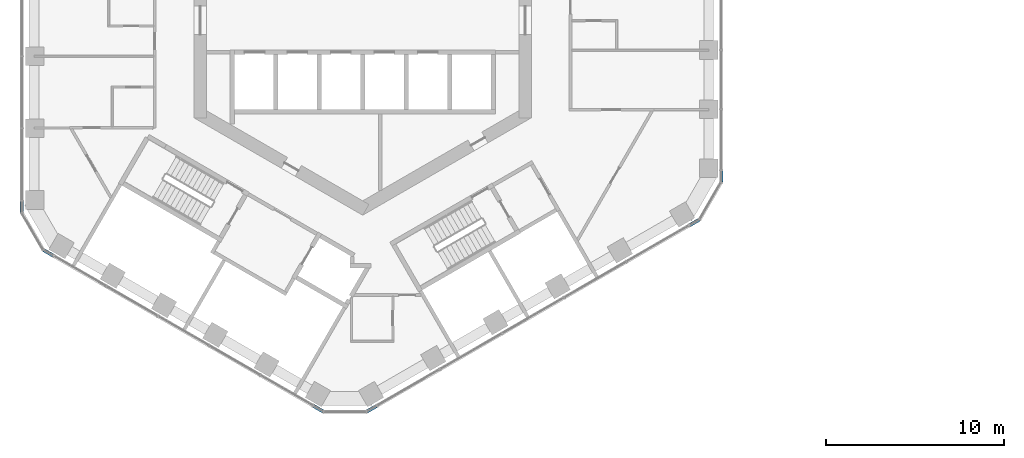
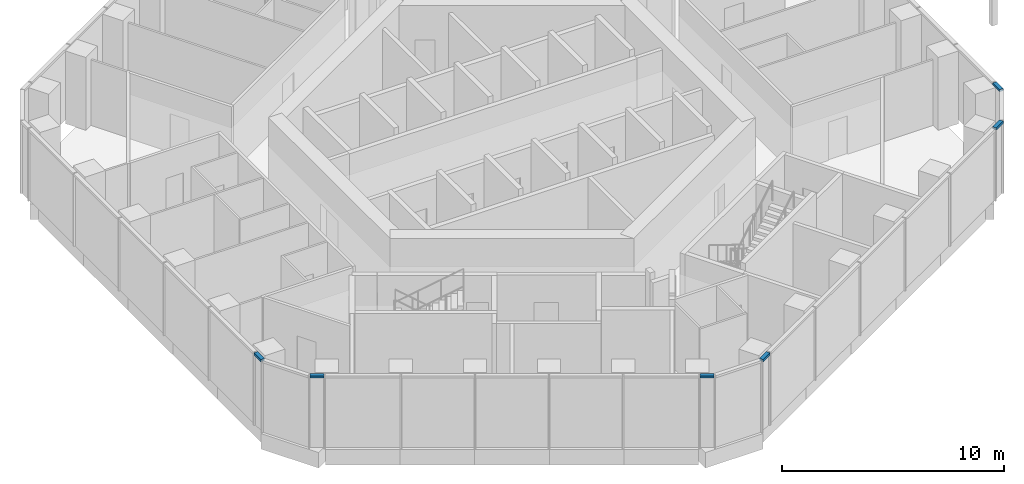
# One storey, part 10 of 25: 6 members, 3 elements without a shape of their own.
"""IFC4 building model written with IfcOpenShell, lengths in metres."""

from ifc_helpers import new_model, si_unit, direction, frame, origin, origin_2d, place, context, subcontext, project, spatial, rectangle, extrude, material, layer, layer_set, material_profile, profile_set, type_object, element, aggregate, save


model = new_model("IFC4")

# Units and contexts
model_context = context("Model", 3, precision=1e-05, world=origin(), true_north=direction((0.0, 1.0)))
body_context = subcontext(model_context, "Body", "Model", "MODEL_VIEW")
ifc_project = project(units=[si_unit("LENGTHUNIT", "METRE"), si_unit("AREAUNIT", "SQUARE_METRE"), si_unit("VOLUMEUNIT", "CUBIC_METRE"), si_unit("PLANEANGLEUNIT", "RADIAN"), si_unit("MASSUNIT", "GRAM", prefix="KILO")], contexts=[model_context])

# Site, building, storey
site_placement = place(None, origin())
site = spatial("IfcSite", under=ifc_project, at=site_placement, CompositionType="ELEMENT")
building_placement = place(site_placement, origin())
building = spatial("IfcBuilding", under=site, at=building_placement, Name="Ayvan Gate Tower", CompositionType="ELEMENT")
storey_placement = place(building_placement, frame((0.0, 0.0, 139.89990234375)))
storey = spatial("IfcBuildingStorey", under=building, at=storey_placement, Name="L37", CompositionType="ELEMENT", Elevation=139.89990234375)

# Curtain wall, members
ifc_material = material(Name="Bronze anodised aluminium", Category="aluminium")
ifc_layer = layer(ifc_material, 0.199951171875)
ifc_layer_set = layer_set([ifc_layer], Name="Bronze anodised aluminium")
curtain_wall_type = type_object("IfcCurtainWallType", Name="Stick curtain wall CW-6", PredefinedType="NOTDEFINED", material=ifc_layer_set)
curtain_wall_1_placement = place(storey_placement, origin())
curtain_wall_1 = element("IfcCurtainWall", 1, at=curtain_wall_1_placement, inside=storey, type_object=curtain_wall_type, Name="Stick curtain wall CW-6 L37", PredefinedType="NOTDEFINED")
ifc_material_profile = material_profile(ifc_material, rectangle(XDim=0.199951171875, YDim=0.1201171875, at=origin_2d()), Name="Stick curtain wall CW-6 transom 200 x 120")
ifc_profile_set = profile_set([ifc_material_profile], Name="Bronze anodised aluminium")
member_type = type_object("IfcMemberType", Name="Stick curtain wall CW-6 transom 200 x 120", PredefinedType="USERDEFINED", material=ifc_profile_set)
member_1_placement = place(storey_placement, frame((-19.194091796875, -10.1826171875, 3.940185546875), z_axis=(0.0, -1.0, 0.0), x_axis=(1.0, 0.0, 0.0)))
member_1 = element("IfcMember", 2, at=member_1_placement, type_object=member_type, Name="CW-6 transom 1", ObjectType="TRANSOM", PredefinedType="USERDEFINED", context=body_context, shape_type="SweptSolid", body=[
    extrude(rectangle(XDim=0.199951171875, YDim=0.1201171875, at=origin_2d()), origin(), (0.0, 0.0, 1.0), 0.625),
])
member_2_placement = place(storey_placement, frame((-17.965087890625, -12.93603515625, 3.940185546875), z_axis=(0.866022959057, -0.500004234368, 0.0), x_axis=(0.500004234368, 0.866022959057, 0.0)))
member_2 = element("IfcMember", 3, at=member_2_placement, type_object=member_type, Name="CW-6 transom 3", ObjectType="TRANSOM", PredefinedType="USERDEFINED", context=body_context, shape_type="SweptSolid", body=[
    extrude(rectangle(XDim=0.199951171875, YDim=0.1201171875, at=origin_2d()), origin(), (0.0, 0.0, 1.0), 0.625),
])
aggregate(curtain_wall_1, [member_1, member_2])

curtain_wall_2_placement = place(storey_placement, origin())
curtain_wall_2 = element("IfcCurtainWall", 4, at=curtain_wall_2_placement, inside=storey, type_object=curtain_wall_type, Name="Stick curtain wall CW-6 L37", PredefinedType="NOTDEFINED")
member_3_placement = place(storey_placement, frame((-2.76171875, -21.7138671875, 3.940185546875), z_axis=(0.866022959057, -0.500004234368, 0.0), x_axis=(0.500004234368, 0.866022959057, 0.0)))
member_3 = element("IfcMember", 5, at=member_3_placement, type_object=member_type, Name="CW-6 transom 1", ObjectType="TRANSOM", PredefinedType="USERDEFINED", context=body_context, shape_type="SweptSolid", body=[
    extrude(rectangle(XDim=0.199951171875, YDim=0.1201171875, at=origin_2d()), origin(), (0.0, 0.0, 1.0), 0.625),
])
member_4_placement = place(storey_placement, frame((0.237548828125, -22.0263671875, 3.940185546875), z_axis=(0.866022959057, 0.500004234368, 0.0), x_axis=(-0.500004234368, 0.866022959057, 0.0)))
member_4 = element("IfcMember", 6, at=member_4_placement, type_object=member_type, Name="CW-6 transom 3", ObjectType="TRANSOM", PredefinedType="USERDEFINED", context=body_context, shape_type="SweptSolid", body=[
    extrude(rectangle(XDim=0.199951171875, YDim=0.1201171875, at=origin_2d()), origin(), (0.0, 0.0, 1.0), 0.625),
])
aggregate(curtain_wall_2, [member_3, member_4])

curtain_wall_3_placement = place(storey_placement, origin())
curtain_wall_3 = element("IfcCurtainWall", 7, at=curtain_wall_3_placement, inside=storey, type_object=curtain_wall_type, Name="Stick curtain wall CW-6 L37", PredefinedType="NOTDEFINED")
member_5_placement = place(storey_placement, frame((18.415283203125, -11.53125, 3.940185546875), z_axis=(0.866022959057, 0.500004234368, 0.0), x_axis=(-0.500004234368, 0.866022959057, 0.0)))
member_5 = element("IfcMember", 8, at=member_5_placement, type_object=member_type, Name="CW-6 transom 1", ObjectType="TRANSOM", PredefinedType="USERDEFINED", context=body_context, shape_type="SweptSolid", body=[
    extrude(rectangle(XDim=0.199951171875, YDim=0.1201171875, at=origin_2d()), origin(), (0.0, 0.0, 1.0), 0.625),
])
member_6_placement = place(storey_placement, frame((20.185546875, -9.09033203125, 3.940185546875), z_axis=(0.0, 1.0, 0.0), x_axis=(-1.0, 0.0, 0.0)))
member_6 = element("IfcMember", 9, at=member_6_placement, type_object=member_type, Name="CW-6 transom 3", ObjectType="TRANSOM", PredefinedType="USERDEFINED", context=body_context, shape_type="SweptSolid", body=[
    extrude(rectangle(XDim=0.199951171875, YDim=0.1201171875, at=origin_2d()), origin(), (0.0, 0.0, 1.0), 0.625),
])
aggregate(curtain_wall_3, [member_5, member_6])

save(model, "model.ifc")
